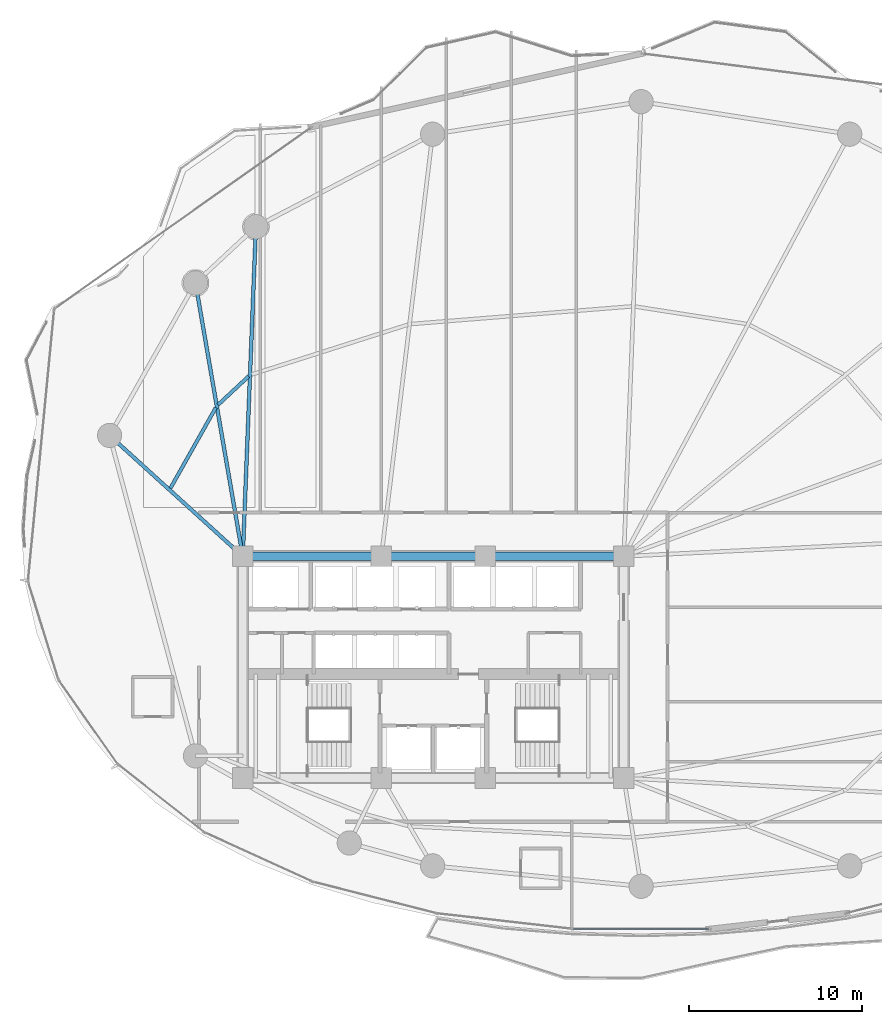
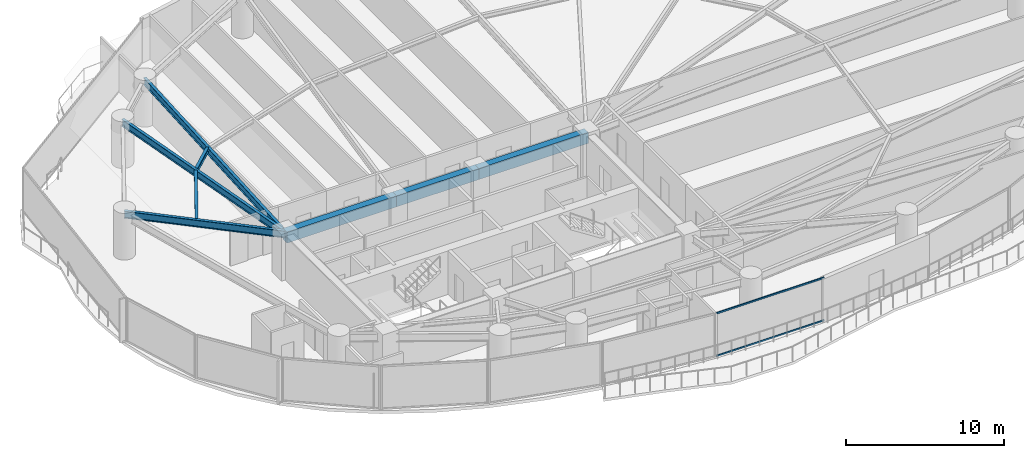
# One storey, part 9 of 31: 8 beams, 2 members, 1 element without a shape of its own.
"""IFC4 building model written with IfcOpenShell, lengths in metres."""

import ifcopenshell
import ifcopenshell.guid

model = None  # the IFC model being written
_history = None  # IfcOwnerHistory: only IFC2X3 demands one
_inside = {}  # id of a spatial element -> (the spatial element, [elements in it])
_under = {}  # id of a project, library or spatial element -> (it, [spatial elements below it])
_declared = {}  # id of a project -> (the project, [libraries it declares])
_typed = {}  # id of a type object -> (the type object, [elements of that type])
_made_of = {}  # id of a material, layer set ... -> (it, [elements and type objects made of it])


def new_model(schema):
    """Start an empty IFC model of exactly this schema.

    Asked for "IFC4X3", IfcOpenShell would pick the latest addendum, in which some entities
    have other attributes; the version numbers below select the first issue.
    IFC2X3 requires an IfcOwnerHistory on every rooted entity: one is made here for all.
    """
    global model, _history
    if schema == "IFC4X3":
        model = ifcopenshell.file(schema_version=(4, 3, 0, 0))
    else:
        model = ifcopenshell.file(schema=schema)
    _inside.clear()
    _under.clear()
    _declared.clear()
    _typed.clear()
    _made_of.clear()
    _history = None
    if model.schema == "IFC2X3":
        org = make("IfcOrganization", Name="unknown")
        user = make(
            "IfcPersonAndOrganization",
            ThePerson=make("IfcPerson", FamilyName="unknown"),
            TheOrganization=org,
        )
        app = make(
            "IfcApplication",
            ApplicationDeveloper=org,
            Version="unknown",
            ApplicationFullName="unknown",
            ApplicationIdentifier="unknown",
        )
        _history = make(
            "IfcOwnerHistory",
            OwningUser=user,
            OwningApplication=app,
            ChangeAction="ADDED",
            CreationDate=0,
        )
    return model


def make(cls, **values):
    """One entity of the class cls with the attributes given. An attribute that is None is left unset."""
    return model.create_entity(
        cls, **{name: value for name, value in values.items() if value is not None}
    )


def rooted(cls, **values):
    """An entity with a GlobalId (a new one), such as an element, a storey or a relation."""
    return make(cls, GlobalId=ifcopenshell.guid.new(), OwnerHistory=_history, **values)


def si_unit(unit_type, name, prefix=None):
    """IfcSIUnit, for example si_unit("LENGTHUNIT", "METRE", prefix="MILLI")."""
    return make("IfcSIUnit", UnitType=unit_type, Prefix=prefix, Name=name)


def assignment(units):
    """IfcUnitAssignment: the units of a project."""
    return None if units is None else make("IfcUnitAssignment", Units=units)


def point(xyz):
    """IfcCartesianPoint."""
    return None if xyz is None else make("IfcCartesianPoint", Coordinates=xyz)


def direction(xyz):
    """IfcDirection."""
    return None if xyz is None else make("IfcDirection", DirectionRatios=xyz)


def frame(location, z_axis=None, x_axis=None):
    """IfcAxis2Placement3D, a coordinate frame: its origin and axes. An axis left out is left unset."""
    return make(
        "IfcAxis2Placement3D",
        Location=point(location),
        Axis=direction(z_axis),
        RefDirection=direction(x_axis),
    )


def frame_2d(location, x_axis=None):
    """IfcAxis2Placement2D, a coordinate frame in the plane: its origin and x axis."""
    return make(
        "IfcAxis2Placement2D", Location=point(location), RefDirection=direction(x_axis)
    )


def origin():
    """The frame at (0, 0, 0) with its axes left unset."""
    return frame((0.0, 0.0, 0.0))


def origin_2d():
    """The frame at (0, 0) in the plane with its x axis left unset."""
    return frame_2d((0.0, 0.0))


def place(relative_to, where):
    """IfcLocalPlacement: puts the frame where relative to a parent placement (None: the world)."""
    return make(
        "IfcLocalPlacement", PlacementRelTo=relative_to, RelativePlacement=where
    )


def context(
    kind, dimensions, precision=None, world=None, true_north=None, identifier=None
):
    """IfcGeometricRepresentationContext, for example the 3D "Model" context."""
    return make(
        "IfcGeometricRepresentationContext",
        ContextIdentifier=identifier,
        ContextType=kind,
        CoordinateSpaceDimension=dimensions,
        Precision=precision,
        WorldCoordinateSystem=world,
        TrueNorth=true_north,
    )


def subcontext(parent, identifier, kind, view, scale=None):
    """IfcGeometricRepresentationSubContext, for example "Body" below "Model"."""
    return make(
        "IfcGeometricRepresentationSubContext",
        ContextIdentifier=identifier,
        ContextType=kind,
        ParentContext=parent,
        TargetScale=scale,
        TargetView=view,
    )


def project(units=None, contexts=None):
    """IfcProject with its units and contexts."""
    return rooted(
        "IfcProject",
        Name="project",
        RepresentationContexts=contexts,
        UnitsInContext=assignment(units),
    )


def spatial(cls, under=None, at=None, **own):
    """A site, building, storey or space (cls), placed at a placement, below another one or the project."""
    s = rooted(cls, ObjectPlacement=at, **own)
    if under is not None:
        _under.setdefault(under.id(), (under, []))[1].append(s)
    return s


def profile(cls, at=None, kind="AREA", **sizes):
    """A parametric profile (cls). Its sizes go by their IFC names, for example OverallWidth=200.0."""
    return make(cls, ProfileType=kind, Position=at, **sizes)


def rectangle(**sizes):
    """IfcRectangleProfileDef."""
    return profile("IfcRectangleProfileDef", **sizes)


def hollow_rectangle(**sizes):
    """IfcRectangleHollowProfileDef."""
    return profile("IfcRectangleHollowProfileDef", **sizes)


def i_section(**sizes):
    """IfcIShapeProfileDef."""
    return profile("IfcIShapeProfileDef", **sizes)


def extrude(swept, where, along, depth):
    """IfcExtrudedAreaSolid: the profile swept, set in the frame where, extruded along a direction by depth."""
    return make(
        "IfcExtrudedAreaSolid",
        SweptArea=swept,
        Position=where,
        ExtrudedDirection=direction(along),
        Depth=depth,
    )


def shape(context_of_items, identifier, shape_type, items):
    """IfcShapeRepresentation: the items that make up one representation, for example the "Body"."""
    return make(
        "IfcShapeRepresentation",
        ContextOfItems=context_of_items,
        RepresentationIdentifier=identifier,
        RepresentationType=shape_type,
        Items=items,
    )


def material(Name=None, Category=None):
    """IfcMaterial."""
    return make("IfcMaterial", Name=Name, Category=Category)


def layer(
    of_material, thickness, ventilated=None, Name=None, Category=None, Priority=None
):
    """IfcMaterialLayer: one layer of a wall or slab, of a material (None: an air gap)."""
    return make(
        "IfcMaterialLayer",
        Material=of_material,
        LayerThickness=thickness,
        IsVentilated=ventilated,
        Name=Name,
        Category=Category,
        Priority=Priority,
    )


def layer_set(layers, Name=None):
    """IfcMaterialLayerSet."""
    return make("IfcMaterialLayerSet", MaterialLayers=layers, LayerSetName=Name)


def material_profile(
    of_material, cross_section, Name=None, Category=None, Priority=None
):
    """IfcMaterialProfile: a cross section and its material."""
    return make(
        "IfcMaterialProfile",
        Name=Name,
        Material=of_material,
        Profile=cross_section,
        Priority=Priority,
        Category=Category,
    )


def profile_set(profiles, Name=None, composite=None):
    """IfcMaterialProfileSet."""
    return make(
        "IfcMaterialProfileSet",
        Name=Name,
        MaterialProfiles=profiles,
        CompositeProfile=composite,
    )


def made_of(thing, what):
    """Note that an element or type object is made of a material, layer set ...; save() writes the relation."""
    if what is not None:
        _made_of.setdefault(what.id(), (what, []))[1].append(thing)
    return thing


def type_object(cls, material=None, **own):
    """A type object (cls), such as IfcWallType, which elements share."""
    return made_of(rooted(cls, **own), material)


def element(
    cls,
    number,
    at=None,
    inside=None,
    cuts=None,
    type_object=None,
    material=None,
    context=None,
    identifier="Body",
    shape_type=None,
    held_by="IfcProductDefinitionShape",
    body=None,
    shapes=None,
    **own,
):
    """One element of the class cls, such as IfcWall. Its Tag is "e" and its number.

    at: its placement. inside: the storey or other place that contains it. cuts: it is an
    opening in that element (IfcRelVoidsElement). A single representation is given by context,
    identifier, shape_type and body (its items); several are given by shapes. held_by: the class
    of the entity that holds the representations. save() writes the other relations.
    """
    e = rooted(cls, Tag="e%d" % number, ObjectPlacement=at, **own)
    if body is not None:
        shapes = [shape(context, identifier, shape_type, body)]
    if shapes is not None:
        e.Representation = make(held_by, Representations=shapes)
    if inside is not None:
        _inside.setdefault(inside.id(), (inside, []))[1].append(e)
    if cuts is not None:
        rooted(
            "IfcRelVoidsElement", RelatingBuildingElement=cuts, RelatedOpeningElement=e
        )
    if type_object is not None:
        _typed.setdefault(type_object.id(), (type_object, []))[1].append(e)
    return made_of(e, material)


def aggregate(whole, parts):
    """IfcRelAggregates: a whole, such as a stair, and the parts it consists of."""
    return rooted("IfcRelAggregates", RelatingObject=whole, RelatedObjects=parts)


def save(model, path):
    """Write the relations noted so far, then the file.

    IfcRelAggregates (storeys below a building ...), IfcRelContainedInSpatialStructure (elements
    in a storey), IfcRelDefinesByType, IfcRelAssociatesMaterial and IfcRelDeclares: one each for
    every whole, place, type object, material and project.
    """
    for whole, parts in _under.values():
        aggregate(whole, parts)
    for where, things in _inside.values():
        rooted(
            "IfcRelContainedInSpatialStructure",
            RelatedElements=things,
            RelatingStructure=where,
        )
    for kind, things in _typed.values():
        rooted("IfcRelDefinesByType", RelatedObjects=things, RelatingType=kind)
    for what, things in _made_of.values():
        rooted("IfcRelAssociatesMaterial", RelatedObjects=things, RelatingMaterial=what)
    for by, libraries in _declared.values():
        rooted("IfcRelDeclares", RelatingContext=by, RelatedDefinitions=libraries)
    model.write(path)


model = new_model("IFC4")

# Units and contexts
model_context = context("Model", 3, precision=1e-05, world=origin(), true_north=direction((0.0, 1.0)))
body_context = subcontext(model_context, "Body", "Model", "MODEL_VIEW")
ifc_project = project(units=[si_unit("LENGTHUNIT", "METRE"), si_unit("AREAUNIT", "SQUARE_METRE"), si_unit("VOLUMEUNIT", "CUBIC_METRE"), si_unit("PLANEANGLEUNIT", "RADIAN"), si_unit("MASSUNIT", "GRAM", prefix="KILO")], contexts=[model_context])

# Site, building, storey
site_placement = place(None, origin())
site = spatial("IfcSite", under=ifc_project, at=site_placement, CompositionType="ELEMENT")
building_placement = place(site_placement, origin())
building = spatial("IfcBuilding", under=site, at=building_placement, Name="Kazevale Care Tower and Concert Hall", CompositionType="ELEMENT")
storey_placement = place(building_placement, frame((0.0, 0.0, 56.39990234375)))
storey = spatial("IfcBuildingStorey", under=building, at=storey_placement, Name="L14", CompositionType="ELEMENT", Elevation=56.39990234375)

# Curtain wall, members
ifc_material_1 = material(Name="Aluminium 6063-T6 and Low-E Glass", Category="aluminium")
ifc_layer = layer(ifc_material_1, 0.179931640625)
ifc_layer_set = layer_set([ifc_layer], Name="Aluminium 6063-T6 and Low-E Glass")
curtain_wall_type = type_object("IfcCurtainWallType", Name="Sheltered Concave Balcony Curtain Wall CW-5", PredefinedType="NOTDEFINED", material=ifc_layer_set)
curtain_wall_placement = place(storey_placement, origin())
curtain_wall = element("IfcCurtainWall", 1, at=curtain_wall_placement, inside=storey, type_object=curtain_wall_type, Name="cw:L14:f06", PredefinedType="NOTDEFINED")
ifc_material_2 = material(Name="Aluminium 6063-T6", Category="aluminium")
ifc_material_profile_1 = material_profile(ifc_material_2, hollow_rectangle(XDim=0.074951171875, YDim=0.1201171875, WallThickness=0.00390625, at=origin_2d()), Name="ALU75x120x4")
ifc_profile_set_1 = profile_set([ifc_material_profile_1], Name="Aluminium 6063-T6")
member_type = type_object("IfcMemberType", Name="CW-5 Transom ALU75x120x4", PredefinedType="USERDEFINED", material=ifc_profile_set_1)
member_1_placement = place(storey_placement, frame((48.923095703125, 14.889892578125, 0.03759765625), z_axis=(-1.0, 0.0, 0.0), x_axis=(0.0, -1.0, 0.0)))
member_1 = element("IfcMember", 2, at=member_1_placement, type_object=member_type, Name="CW-5 transom 1.1", ObjectType="TRANSOM", PredefinedType="USERDEFINED", context=body_context, shape_type="SweptSolid", body=[
    extrude(hollow_rectangle(XDim=0.074951171875, YDim=0.1201171875, WallThickness=0.00390625, at=origin_2d()), origin(), (0.0, 0.0, 1.0), 7.84619140625),
])
member_2_placement = place(storey_placement, frame((48.923095703125, 14.889892578125, 3.322509765625), z_axis=(-1.0, 0.0, 0.0), x_axis=(0.0, -1.0, 0.0)))
member_2 = element("IfcMember", 3, at=member_2_placement, type_object=member_type, Name="CW-5 transom 1.2", ObjectType="TRANSOM", PredefinedType="USERDEFINED", context=body_context, shape_type="SweptSolid", body=[
    extrude(hollow_rectangle(XDim=0.074951171875, YDim=0.1201171875, WallThickness=0.00390625, at=origin_2d()), origin(), (0.0, 0.0, 1.0), 7.84619140625),
])
aggregate(curtain_wall, [member_1, member_2])

# Beams
ifc_material_3 = material(Name="Concrete C60", Category="concrete")
ifc_material_profile_2 = material_profile(ifc_material_3, rectangle(XDim=0.5, YDim=0.85009765625, at=origin_2d()), Name="RC-B500x850")
ifc_profile_set_2 = profile_set([ifc_material_profile_2], Name="Concrete C60")
beam_type_1 = type_object("IfcBeamType", Name="Core Coupling Beam RC500x850", PredefinedType="LINTEL", material=ifc_profile_set_2)
beam_1_placement = place(storey_placement, frame((44.0, 36.39990234375, 2.93505859375), z_axis=(-1.0, 0.0, 0.0), x_axis=(0.0, -1.0, 0.0)))
element("IfcBeam", 4, at=beam_1_placement, inside=storey, type_object=beam_type_1, Name="beam:L14:coretie:5", PredefinedType="LINTEL", context=body_context, shape_type="SweptSolid", body=[
    extrude(rectangle(XDim=0.5, YDim=0.85009765625, at=origin_2d()), origin(), (0.0, 0.0, 1.0), 8.0),
])
beam_2_placement = place(storey_placement, frame((36.0, 36.39990234375, 2.93505859375), z_axis=(-1.0, 0.0, 0.0), x_axis=(0.0, -1.0, 0.0)))
element("IfcBeam", 5, at=beam_2_placement, inside=storey, type_object=beam_type_1, Name="beam:L14:coretie:6", PredefinedType="LINTEL", context=body_context, shape_type="SweptSolid", body=[
    extrude(rectangle(XDim=0.5, YDim=0.85009765625, at=origin_2d()), origin(), (0.0, 0.0, 1.0), 6.0),
])
beam_3_placement = place(storey_placement, frame((30.0, 36.39990234375, 2.93505859375), z_axis=(-1.0, 0.0, 0.0), x_axis=(0.0, -1.0, 0.0)))
element("IfcBeam", 6, at=beam_3_placement, inside=storey, type_object=beam_type_1, Name="beam:L14:coretie:7", PredefinedType="LINTEL", context=body_context, shape_type="SweptSolid", body=[
    extrude(rectangle(XDim=0.5, YDim=0.85009765625, at=origin_2d()), origin(), (0.0, 0.0, 1.0), 8.0),
])
ifc_material_4 = material(Name="Steel ASTM A572 Gr 50", Category="steel")
ifc_material_profile_3 = material_profile(ifc_material_4, i_section(OverallWidth=0.2119140625, OverallDepth=0.5439453125, WebThickness=0.01318359375, FlangeThickness=0.021240234375, at=origin_2d()), Name="W530x123")
ifc_profile_set_3 = profile_set([ifc_material_profile_3], Name="Steel ASTM A572 Gr 50")
beam_type_2 = type_object("IfcBeamType", Name="Radial Floor Girder W530x123", PredefinedType="BEAM", material=ifc_profile_set_3)
beam_4_placement = place(storey_placement, frame((22.0, 36.39990234375, 3.088134765625), z_axis=(0.039905581428, 0.999203455044, 0.0), x_axis=(-0.999203455044, 0.039905581428, 0.0)))
element("IfcBeam", 7, at=beam_4_placement, inside=storey, type_object=beam_type_2, Name="beam:L14:rad:07", PredefinedType="BEAM", context=body_context, shape_type="SweptSolid", body=[
    extrude(i_section(OverallWidth=0.2119140625, OverallDepth=0.5439453125, WebThickness=0.01318359375, FlangeThickness=0.021240234375, at=origin_2d()), origin(), (0.0, 0.0, 1.0), 19.045166015625),
])
beam_5_placement = place(storey_placement, frame((22.0, 36.39990234375, 3.088134765625), z_axis=(-0.170469986865, 0.985362868987, 0.0), x_axis=(-0.985362868987, -0.170469986865, 0.0)))
element("IfcBeam", 8, at=beam_5_placement, inside=storey, type_object=beam_type_2, Name="beam:L14:rad:08", PredefinedType="BEAM", context=body_context, shape_type="SweptSolid", body=[
    extrude(i_section(OverallWidth=0.2119140625, OverallDepth=0.5439453125, WebThickness=0.01318359375, FlangeThickness=0.021240234375, at=origin_2d()), origin(), (0.0, 0.0, 1.0), 16.014404296875),
])
beam_6_placement = place(storey_placement, frame((22.0, 36.39990234375, 3.088134765625), z_axis=(-0.740461073653, 0.672099247436, 0.0), x_axis=(-0.672099247436, -0.740461073653, 0.0)))
element("IfcBeam", 9, at=beam_6_placement, inside=storey, type_object=beam_type_2, Name="beam:L14:rad:09", PredefinedType="BEAM", context=body_context, shape_type="SweptSolid", body=[
    extrude(i_section(OverallWidth=0.2119140625, OverallDepth=0.5439453125, WebThickness=0.01318359375, FlangeThickness=0.021240234375, at=origin_2d()), origin(), (0.0, 0.0, 1.0), 10.38525390625),
])
ifc_material_profile_4 = material_profile(ifc_material_4, i_section(OverallWidth=0.205078125, OverallDepth=0.35400390625, WebThickness=0.009521484375, FlangeThickness=0.016845703125, at=origin_2d()), Name="W360x79")
ifc_profile_set_4 = profile_set([ifc_material_profile_4], Name="Steel ASTM A572 Gr 50")
beam_type_3 = type_object("IfcBeamType", Name="Secondary Floor Joist W360x79", PredefinedType="JOIST", material=ifc_profile_set_4)
beam_7_placement = place(storey_placement, frame((22.341064453125, 46.794921875, 3.18310546875), z_axis=(-0.73194965424, -0.68135871878, 0.0), x_axis=(0.68135871878, -0.73194965424, 0.0)))
element("IfcBeam", 10, at=beam_7_placement, inside=storey, type_object=beam_type_3, Name="beam:L14:joist:07", PredefinedType="JOIST", context=body_context, shape_type="SweptSolid", body=[
    extrude(i_section(OverallWidth=0.205078125, OverallDepth=0.35400390625, WebThickness=0.009521484375, FlangeThickness=0.016845703125, at=origin_2d()), origin(), (0.0, 0.0, 1.0), 2.412841796875),
])
beam_8_placement = place(storey_placement, frame((20.447021484375, 44.988037109375, 3.18310546875), z_axis=(-0.490956987312, -0.871183813331, 0.0), x_axis=(0.871183813331, -0.490956987312, 0.0)))
element("IfcBeam", 11, at=beam_8_placement, inside=storey, type_object=beam_type_3, Name="beam:L14:joist:08", PredefinedType="JOIST", context=body_context, shape_type="SweptSolid", body=[
    extrude(i_section(OverallWidth=0.205078125, OverallDepth=0.35400390625, WebThickness=0.009521484375, FlangeThickness=0.016845703125, at=origin_2d()), origin(), (0.0, 0.0, 1.0), 5.3466796875),
])

save(model, "model.ifc")
